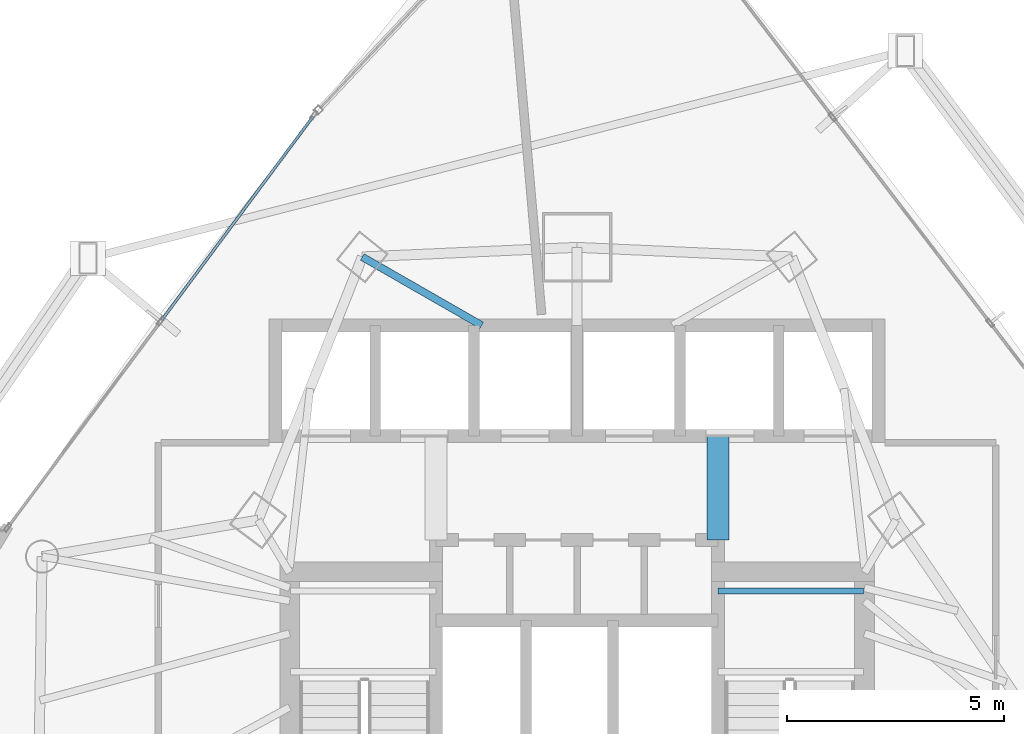
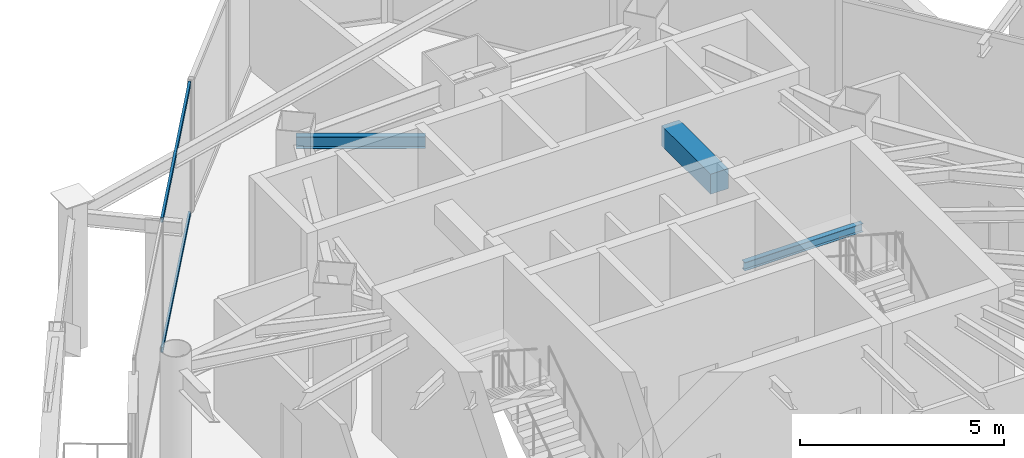
# One storey, part 20 of 33: 3 beams, 2 members, 1 element without a shape of its own.
"""IFC4 building model written with IfcOpenShell, lengths in metres."""

from ifc_helpers import new_model, si_unit, direction, frame, origin, origin_2d, place, context, subcontext, project, spatial, rectangle, hollow_rectangle, i_section, extrude, material, layer, layer_set, material_profile, profile_set, type_object, element, aggregate, save


model = new_model("IFC4")

# Units and contexts
model_context = context("Model", 3, precision=1e-05, world=origin(), true_north=direction((0.0, 1.0)))
body_context = subcontext(model_context, "Body", "Model", "MODEL_VIEW")
ifc_project = project(units=[si_unit("LENGTHUNIT", "METRE"), si_unit("AREAUNIT", "SQUARE_METRE"), si_unit("VOLUMEUNIT", "CUBIC_METRE"), si_unit("PLANEANGLEUNIT", "RADIAN"), si_unit("MASSUNIT", "GRAM", prefix="KILO")], contexts=[model_context])

# Site, building, storey
site_placement = place(None, origin())
site = spatial("IfcSite", under=ifc_project, at=site_placement, CompositionType="ELEMENT")
building_placement = place(site_placement, origin())
building = spatial("IfcBuilding", under=site, at=building_placement, Name="Orvanel Arch Residences", CompositionType="ELEMENT")
storey_placement = place(building_placement, frame((0.0, 0.0, 97.25)))
storey = spatial("IfcBuildingStorey", under=building, at=storey_placement, Name="L27", CompositionType="ELEMENT", Elevation=97.25)

# Beams
ifc_material_1 = material(Name="Structural steel AS/NZS 3679.1 Grade 300 (300 MPa)", Category="steel")
ifc_material_profile_1 = material_profile(ifc_material_1, i_section(OverallWidth=0.14599609375, OverallDepth=0.251953125, WebThickness=0.006103515625, FlangeThickness=0.008544921875, at=origin_2d()), Name="250UB31.4")
ifc_profile_set_1 = profile_set([ifc_material_profile_1], Name="Structural steel AS/NZS 3679.1 Grade 300 (300 MPa)")
beam_type_1 = type_object("IfcBeamType", Name="BJ-250UB", PredefinedType="JOIST", material=ifc_profile_set_1)
beam_1_placement = place(storey_placement, frame((36.25, 33.47998046875, 1.84912109375), z_axis=(1.0, 0.0, 0.0), x_axis=(0.0, 1.0, 0.0)))
element("IfcBeam", 1, at=beam_1_placement, inside=storey, type_object=beam_type_1, Name="L27 ST-2 Half-Landing Support Beam 1.2", PredefinedType="JOIST", context=body_context, shape_type="SweptSolid", body=[
    extrude(i_section(OverallWidth=0.14599609375, OverallDepth=0.251953125, WebThickness=0.006103515625, FlangeThickness=0.008544921875, at=origin_2d()), origin(), (0.0, 0.0, 1.0), 3.35009765625),
])
ifc_material_profile_2 = material_profile(ifc_material_1, i_section(OverallWidth=0.1708984375, OverallDepth=0.35595703125, WebThickness=0.00732421875, FlangeThickness=0.011474609375, at=origin_2d()), Name="360UB50.7")
ifc_profile_set_2 = profile_set([ifc_material_profile_2], Name="Structural steel AS/NZS 3679.1 Grade 300 (300 MPa)")
beam_type_2 = type_object("IfcBeamType", Name="BJ-360UB", PredefinedType="JOIST", material=ifc_profile_set_2)
beam_2_placement = place(storey_placement, frame((30.800048828125, 39.60009765625, 3.77197265625), z_axis=(-0.86736513383, 0.497672306458, 0.0), x_axis=(-0.497672306458, -0.86736513383, 0.0)))
element("IfcBeam", 2, at=beam_2_placement, inside=storey, type_object=beam_type_2, Name="L27 MNW Wing Floor Joist", PredefinedType="JOIST", context=body_context, shape_type="SweptSolid", body=[
    extrude(i_section(OverallWidth=0.1708984375, OverallDepth=0.35595703125, WebThickness=0.00732421875, FlangeThickness=0.011474609375, at=origin_2d()), origin(), (0.0, 0.0, 1.0), 3.17041015625),
])
ifc_material_2 = material(Name="Concrete S65 (65 MPa)", Category="concrete")
ifc_material_profile_3 = material_profile(ifc_material_2, rectangle(XDim=0.5, YDim=0.60009765625, at=origin_2d()), Name="RC500x600")
ifc_profile_set_3 = profile_set([ifc_material_profile_3], Name="Concrete S65 (65 MPa)")
beam_type_3 = type_object("IfcBeamType", Name="CB-500x600", PredefinedType="LINTEL", material=ifc_profile_set_3)
beam_3_placement = place(storey_placement, frame((36.25, 34.64990234375, 3.64990234375), z_axis=(0.0, 1.0, 0.0), x_axis=(-1.0, 0.0, 0.0)))
element("IfcBeam", 3, at=beam_3_placement, inside=storey, type_object=beam_type_3, Name="L27 East Core Lobby Coupling Lintel Beam", PredefinedType="LINTEL", context=body_context, shape_type="SweptSolid", body=[
    extrude(rectangle(XDim=0.5, YDim=0.60009765625, at=origin_2d()), origin(), (0.0, 0.0, 1.0), 2.400146484375),
])

# Curtain wall, members
ifc_material_3 = material(Name="Bronze-anodised aluminium AA6063-T6", Category="aluminium")
ifc_layer = layer(ifc_material_3, 0.195068359375)
ifc_layer_set = layer_set([ifc_layer], Name="Bronze-anodised aluminium AA6063-T6")
curtain_wall_type = type_object("IfcCurtainWallType", Name="CW6-COM-SYS", PredefinedType="NOTDEFINED", material=ifc_layer_set)
curtain_wall_placement = place(storey_placement, origin())
curtain_wall = element("IfcCurtainWall", 4, at=curtain_wall_placement, inside=storey, type_object=curtain_wall_type, Name="L27 CW6-COM-SYS Unitised Curtain Wall", PredefinedType="NOTDEFINED")
ifc_material_profile_4 = material_profile(ifc_material_3, hollow_rectangle(XDim=0.06494140625, YDim=0.14990234375, WallThickness=0.00390625, at=origin_2d()), Name="ALU150x65x4")
ifc_profile_set_4 = profile_set([ifc_material_profile_4], Name="Bronze-anodised aluminium AA6063-T6")
member_type = type_object("IfcMemberType", Name="TRN-150x65", PredefinedType="USERDEFINED", material=ifc_profile_set_4)
member_1_placement = place(storey_placement, frame((26.915283203125, 44.413818359375, 0.032470703125), z_axis=(-0.596687597391, -0.802473620202, 0.0), x_axis=(0.802473620202, -0.596687597391, 0.0)))
member_1 = element("IfcMember", 5, at=member_1_placement, type_object=member_type, Name="CW-S6 transom 1.1", ObjectType="TRANSOM", PredefinedType="USERDEFINED", context=body_context, shape_type="SweptSolid", body=[
    extrude(hollow_rectangle(XDim=0.06494140625, YDim=0.14990234375, WallThickness=0.00390625, at=origin_2d()), origin(), (0.0, 0.0, 1.0), 5.846435546875),
])
member_2_placement = place(storey_placement, frame((26.915283203125, 44.413818359375, 3.91748046875), z_axis=(-0.596687597391, -0.802473620202, 0.0), x_axis=(0.802473620202, -0.596687597391, 0.0)))
member_2 = element("IfcMember", 6, at=member_2_placement, type_object=member_type, Name="CW-S6 transom 1.2", ObjectType="TRANSOM", PredefinedType="USERDEFINED", context=body_context, shape_type="SweptSolid", body=[
    extrude(hollow_rectangle(XDim=0.06494140625, YDim=0.14990234375, WallThickness=0.00390625, at=origin_2d()), origin(), (0.0, 0.0, 1.0), 5.846435546875),
])
aggregate(curtain_wall, [member_1, member_2])

save(model, "model.ifc")
